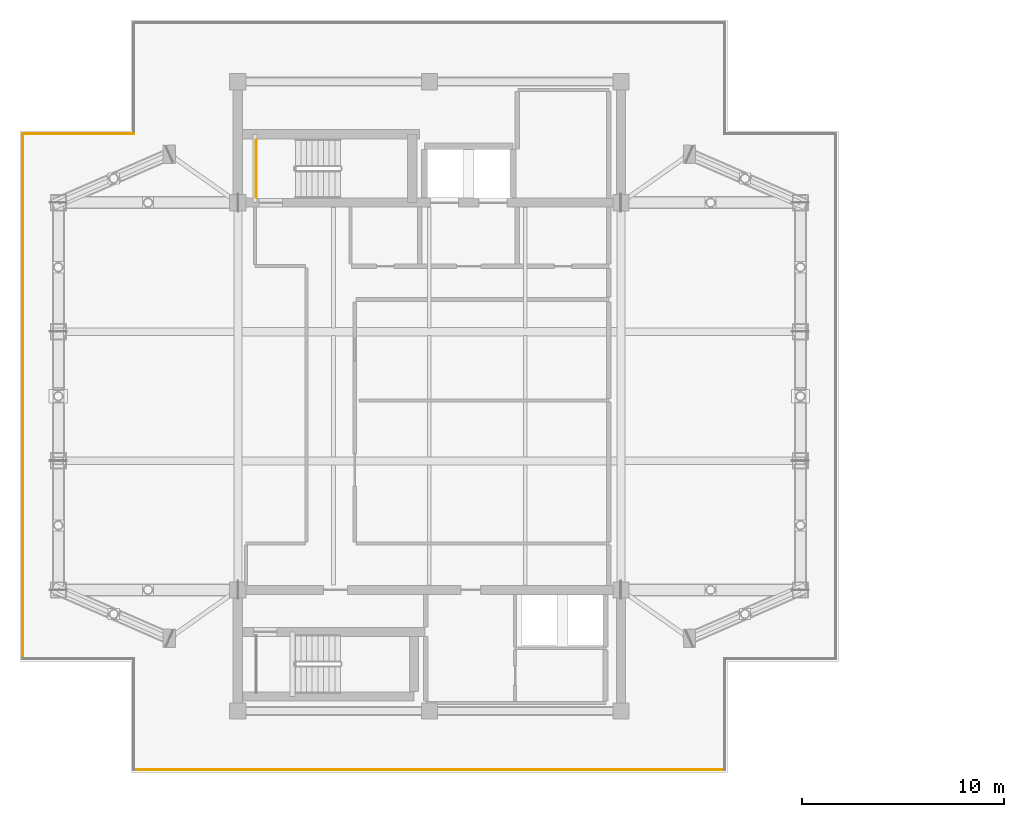
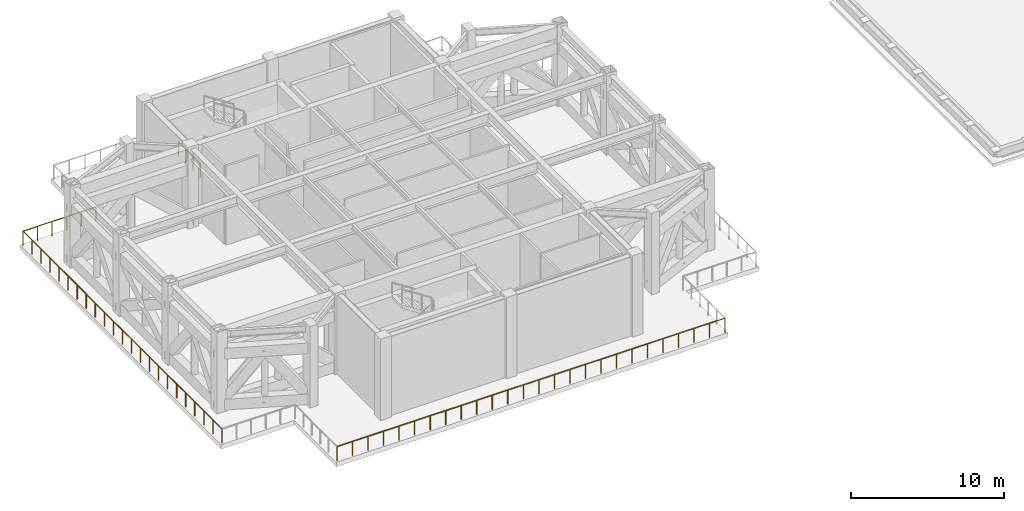
# One storey, part 9 of 11: 4 railings.
"""IFC4 building model written with IfcOpenShell, lengths in metres."""

from ifc_helpers import new_model, si_unit, direction, frame, origin, origin_2d, place, context, subcontext, project, spatial, circle, extrude, material, type_object, element, save


model = new_model("IFC4")

# Units and contexts
model_context = context("Model", 3, precision=1e-05, world=origin(), true_north=direction((0.0, 1.0)))
body_context = subcontext(model_context, "Body", "Model", "MODEL_VIEW")
ifc_project = project(units=[si_unit("LENGTHUNIT", "METRE"), si_unit("AREAUNIT", "SQUARE_METRE"), si_unit("VOLUMEUNIT", "CUBIC_METRE"), si_unit("PLANEANGLEUNIT", "RADIAN"), si_unit("MASSUNIT", "GRAM", prefix="KILO")], contexts=[model_context])

# Site, building, storey
site_placement = place(None, origin())
site = spatial("IfcSite", under=ifc_project, at=site_placement, CompositionType="ELEMENT")
building_placement = place(site_placement, origin())
building = spatial("IfcBuilding", under=site, at=building_placement, Name="Mirazonda Arch Towers", CompositionType="ELEMENT")
storey_placement = place(building_placement, frame((0.0, 0.0, 212.89990234375)))
storey = spatial("IfcBuildingStorey", under=building, at=storey_placement, Name="L61", CompositionType="ELEMENT", Elevation=212.89990234375)

# Railings
ifc_material = material(Name="Architectural Brushed Steel S355", Category="steel")
railing_type_1 = type_object("IfcRailingType", Name="GUARD-EXT-1150", PredefinedType="GUARDRAIL", material=ifc_material)
railing_1_placement = place(storey_placement, frame((5.85009765625, 9.47998046875, 0.0)))
element("IfcRailing", 1, at=railing_1_placement, inside=storey, type_object=railing_type_1, Name="L61 T1 Open Wind-Portal Perimeter Guard 01", PredefinedType="GUARDRAIL", context=body_context, shape_type="SweptSolid", body=[
    extrude(circle(Radius=0.02392578125, at=origin_2d()), frame((0.0, 0.0, 1.1259765625), z_axis=(1.0, 0.0, 0.0), x_axis=(0.0, 1.0, 0.0)), (0.0, 0.0, 1.0), 29.2998046875),
    extrude(circle(Radius=0.02099609375, at=origin_2d()), origin(), (0.0, 0.0, 1.0), 1.101806640625),
    extrude(circle(Radius=0.02099609375, at=origin_2d()), frame((1.171875, 0.0, 0.0)), (0.0, 0.0, 1.0), 1.101806640625),
    extrude(circle(Radius=0.02099609375, at=origin_2d()), frame((2.343994140625, 0.0, 0.0)), (0.0, 0.0, 1.0), 1.101806640625),
    extrude(circle(Radius=0.02099609375, at=origin_2d()), frame((3.515869140625, 0.0, 0.0)), (0.0, 0.0, 1.0), 1.101806640625),
    extrude(circle(Radius=0.02099609375, at=origin_2d()), frame((4.68798828125, 0.0, 0.0)), (0.0, 0.0, 1.0), 1.101806640625),
    extrude(circle(Radius=0.02099609375, at=origin_2d()), frame((5.85986328125, 0.0, 0.0)), (0.0, 0.0, 1.0), 1.101806640625),
    extrude(circle(Radius=0.02099609375, at=origin_2d()), frame((7.031982421875, 0.0, 0.0)), (0.0, 0.0, 1.0), 1.101806640625),
    extrude(circle(Radius=0.02099609375, at=origin_2d()), frame((8.203857421875, 0.0, 0.0)), (0.0, 0.0, 1.0), 1.101806640625),
    extrude(circle(Radius=0.02099609375, at=origin_2d()), frame((9.3759765625, 0.0, 0.0)), (0.0, 0.0, 1.0), 1.101806640625),
    extrude(circle(Radius=0.02099609375, at=origin_2d()), frame((10.5478515625, 0.0, 0.0)), (0.0, 0.0, 1.0), 1.101806640625),
    extrude(circle(Radius=0.02099609375, at=origin_2d()), frame((11.719970703125, 0.0, 0.0)), (0.0, 0.0, 1.0), 1.101806640625),
    extrude(circle(Radius=0.02099609375, at=origin_2d()), frame((12.891845703125, 0.0, 0.0)), (0.0, 0.0, 1.0), 1.101806640625),
    extrude(circle(Radius=0.02099609375, at=origin_2d()), frame((14.06396484375, 0.0, 0.0)), (0.0, 0.0, 1.0), 1.101806640625),
    extrude(circle(Radius=0.02099609375, at=origin_2d()), frame((15.23583984375, 0.0, 0.0)), (0.0, 0.0, 1.0), 1.101806640625),
    extrude(circle(Radius=0.02099609375, at=origin_2d()), frame((16.407958984375, 0.0, 0.0)), (0.0, 0.0, 1.0), 1.101806640625),
    extrude(circle(Radius=0.02099609375, at=origin_2d()), frame((17.579833984375, 0.0, 0.0)), (0.0, 0.0, 1.0), 1.101806640625),
    extrude(circle(Radius=0.02099609375, at=origin_2d()), frame((18.751953125, 0.0, 0.0)), (0.0, 0.0, 1.0), 1.101806640625),
    extrude(circle(Radius=0.02099609375, at=origin_2d()), frame((19.923828125, 0.0, 0.0)), (0.0, 0.0, 1.0), 1.101806640625),
    extrude(circle(Radius=0.02099609375, at=origin_2d()), frame((21.095947265625, 0.0, 0.0)), (0.0, 0.0, 1.0), 1.101806640625),
    extrude(circle(Radius=0.02099609375, at=origin_2d()), frame((22.267822265625, 0.0, 0.0)), (0.0, 0.0, 1.0), 1.101806640625),
    extrude(circle(Radius=0.02099609375, at=origin_2d()), frame((23.43994140625, 0.0, 0.0)), (0.0, 0.0, 1.0), 1.101806640625),
    extrude(circle(Radius=0.02099609375, at=origin_2d()), frame((24.61181640625, 0.0, 0.0)), (0.0, 0.0, 1.0), 1.101806640625),
    extrude(circle(Radius=0.02099609375, at=origin_2d()), frame((25.783935546875, 0.0, 0.0)), (0.0, 0.0, 1.0), 1.101806640625),
    extrude(circle(Radius=0.02099609375, at=origin_2d()), frame((26.955810546875, 0.0, 0.0)), (0.0, 0.0, 1.0), 1.101806640625),
    extrude(circle(Radius=0.02099609375, at=origin_2d()), frame((28.1279296875, 0.0, 0.0)), (0.0, 0.0, 1.0), 1.101806640625),
    extrude(circle(Radius=0.02099609375, at=origin_2d()), frame((29.2998046875, 0.0, 0.0)), (0.0, 0.0, 1.0), 1.101806640625),
])
railing_2_placement = place(storey_placement, frame((5.85009765625, 41.010009765625, 0.0)))
element("IfcRailing", 2, at=railing_2_placement, inside=storey, type_object=railing_type_1, Name="L61 T1 Open Wind-Portal Perimeter Guard 09", PredefinedType="GUARDRAIL", context=body_context, shape_type="SweptSolid", body=[
    extrude(circle(Radius=0.02392578125, at=origin_2d()), frame((0.0, 0.0, 1.1259765625), z_axis=(-1.0, 0.0, 0.0), x_axis=(0.0, -1.0, 0.0)), (0.0, 0.0, 1.0), 5.510009765625),
    extrude(circle(Radius=0.02099609375, at=origin_2d()), origin(), (0.0, 0.0, 1.0), 1.101806640625),
    extrude(circle(Radius=0.02099609375, at=origin_2d()), frame((-1.10205078125, 0.0, 0.0)), (0.0, 0.0, 1.0), 1.101806640625),
    extrude(circle(Radius=0.02099609375, at=origin_2d()), frame((-2.2041015625, 0.0, 0.0)), (0.0, 0.0, 1.0), 1.101806640625),
    extrude(circle(Radius=0.02099609375, at=origin_2d()), frame((-3.305908203125, 0.0, 0.0)), (0.0, 0.0, 1.0), 1.101806640625),
    extrude(circle(Radius=0.02099609375, at=origin_2d()), frame((-4.407958984375, 0.0, 0.0)), (0.0, 0.0, 1.0), 1.101806640625),
    extrude(circle(Radius=0.02099609375, at=origin_2d()), frame((-5.510009765625, 0.0, 0.0)), (0.0, 0.0, 1.0), 1.101806640625),
])
railing_3_placement = place(storey_placement, frame((0.340087890625, 41.010009765625, 0.0)))
element("IfcRailing", 3, at=railing_3_placement, inside=storey, type_object=railing_type_1, Name="L61 T1 Open Wind-Portal Perimeter Guard 10", PredefinedType="GUARDRAIL", context=body_context, shape_type="SweptSolid", body=[
    extrude(circle(Radius=0.02392578125, at=origin_2d()), frame((0.0, 0.0, 1.1259765625), z_axis=(0.0, -1.0, 0.0), x_axis=(1.0, 0.0, 0.0)), (0.0, 0.0, 1.0), 26.02001953125),
    extrude(circle(Radius=0.02099609375, at=origin_2d()), origin(), (0.0, 0.0, 1.0), 1.101806640625),
    extrude(circle(Radius=0.02099609375, at=origin_2d()), frame((0.0, -1.1826171875, 0.0)), (0.0, 0.0, 1.0), 1.101806640625),
    extrude(circle(Radius=0.02099609375, at=origin_2d()), frame((0.0, -2.365478515625, 0.0)), (0.0, 0.0, 1.0), 1.101806640625),
    extrude(circle(Radius=0.02099609375, at=origin_2d()), frame((0.0, -3.548095703125, 0.0)), (0.0, 0.0, 1.0), 1.101806640625),
    extrude(circle(Radius=0.02099609375, at=origin_2d()), frame((0.0, -4.73095703125, 0.0)), (0.0, 0.0, 1.0), 1.101806640625),
    extrude(circle(Radius=0.02099609375, at=origin_2d()), frame((0.0, -5.91357421875, 0.0)), (0.0, 0.0, 1.0), 1.101806640625),
    extrude(circle(Radius=0.02099609375, at=origin_2d()), frame((0.0, -7.096435546875, 0.0)), (0.0, 0.0, 1.0), 1.101806640625),
    extrude(circle(Radius=0.02099609375, at=origin_2d()), frame((0.0, -8.279052734375, 0.0)), (0.0, 0.0, 1.0), 1.101806640625),
    extrude(circle(Radius=0.02099609375, at=origin_2d()), frame((0.0, -9.4619140625, 0.0)), (0.0, 0.0, 1.0), 1.101806640625),
    extrude(circle(Radius=0.02099609375, at=origin_2d()), frame((0.0, -10.64453125, 0.0)), (0.0, 0.0, 1.0), 1.101806640625),
    extrude(circle(Radius=0.02099609375, at=origin_2d()), frame((0.0, -11.827392578125, 0.0)), (0.0, 0.0, 1.0), 1.101806640625),
    extrude(circle(Radius=0.02099609375, at=origin_2d()), frame((0.0, -13.010009765625, 0.0)), (0.0, 0.0, 1.0), 1.101806640625),
    extrude(circle(Radius=0.02099609375, at=origin_2d()), frame((0.0, -14.192626953125, 0.0)), (0.0, 0.0, 1.0), 1.101806640625),
    extrude(circle(Radius=0.02099609375, at=origin_2d()), frame((0.0, -15.37548828125, 0.0)), (0.0, 0.0, 1.0), 1.101806640625),
    extrude(circle(Radius=0.02099609375, at=origin_2d()), frame((0.0, -16.55810546875, 0.0)), (0.0, 0.0, 1.0), 1.101806640625),
    extrude(circle(Radius=0.02099609375, at=origin_2d()), frame((0.0, -17.740966796875, 0.0)), (0.0, 0.0, 1.0), 1.101806640625),
    extrude(circle(Radius=0.02099609375, at=origin_2d()), frame((0.0, -18.923583984375, 0.0)), (0.0, 0.0, 1.0), 1.101806640625),
    extrude(circle(Radius=0.02099609375, at=origin_2d()), frame((0.0, -20.1064453125, 0.0)), (0.0, 0.0, 1.0), 1.101806640625),
    extrude(circle(Radius=0.02099609375, at=origin_2d()), frame((0.0, -21.2890625, 0.0)), (0.0, 0.0, 1.0), 1.101806640625),
    extrude(circle(Radius=0.02099609375, at=origin_2d()), frame((0.0, -22.471923828125, 0.0)), (0.0, 0.0, 1.0), 1.101806640625),
    extrude(circle(Radius=0.02099609375, at=origin_2d()), frame((0.0, -23.654541015625, 0.0)), (0.0, 0.0, 1.0), 1.101806640625),
    extrude(circle(Radius=0.02099609375, at=origin_2d()), frame((0.0, -24.83740234375, 0.0)), (0.0, 0.0, 1.0), 1.101806640625),
    extrude(circle(Radius=0.02099609375, at=origin_2d()), frame((0.0, -26.02001953125, 0.0)), (0.0, 0.0, 1.0), 1.101806640625),
])
railing_type_2 = type_object("IfcRailingType", Name="GUARD-STAIR-1120", PredefinedType="GUARDRAIL", material=ifc_material)
railing_4_placement = place(storey_placement, frame((11.909912109375, 37.8701171875, 3.25)))
element("IfcRailing", 4, at=railing_4_placement, inside=storey, type_object=railing_type_2, Name="L61 ST-T1N stair guard 9", PredefinedType="GUARDRAIL", context=body_context, shape_type="SweptSolid", body=[
    extrude(circle(Radius=0.02392578125, at=origin_2d()), frame((0.0, 0.0, 1.1259765625), z_axis=(0.0, 1.0, 0.0), x_axis=(-1.0, 0.0, 0.0)), (0.0, 0.0, 1.0), 2.83984375),
    extrude(circle(Radius=0.02099609375, at=origin_2d()), origin(), (0.0, 0.0, 1.0), 1.101806640625),
    extrude(circle(Radius=0.02099609375, at=origin_2d()), frame((0.0, 0.946533203125, 0.0)), (0.0, 0.0, 1.0), 1.101806640625),
    extrude(circle(Radius=0.02099609375, at=origin_2d()), frame((0.0, 1.893310546875, 0.0)), (0.0, 0.0, 1.0), 1.101806640625),
    extrude(circle(Radius=0.02099609375, at=origin_2d()), frame((0.0, 2.83984375, 0.0)), (0.0, 0.0, 1.0), 1.101806640625),
])

save(model, "model.ifc")
